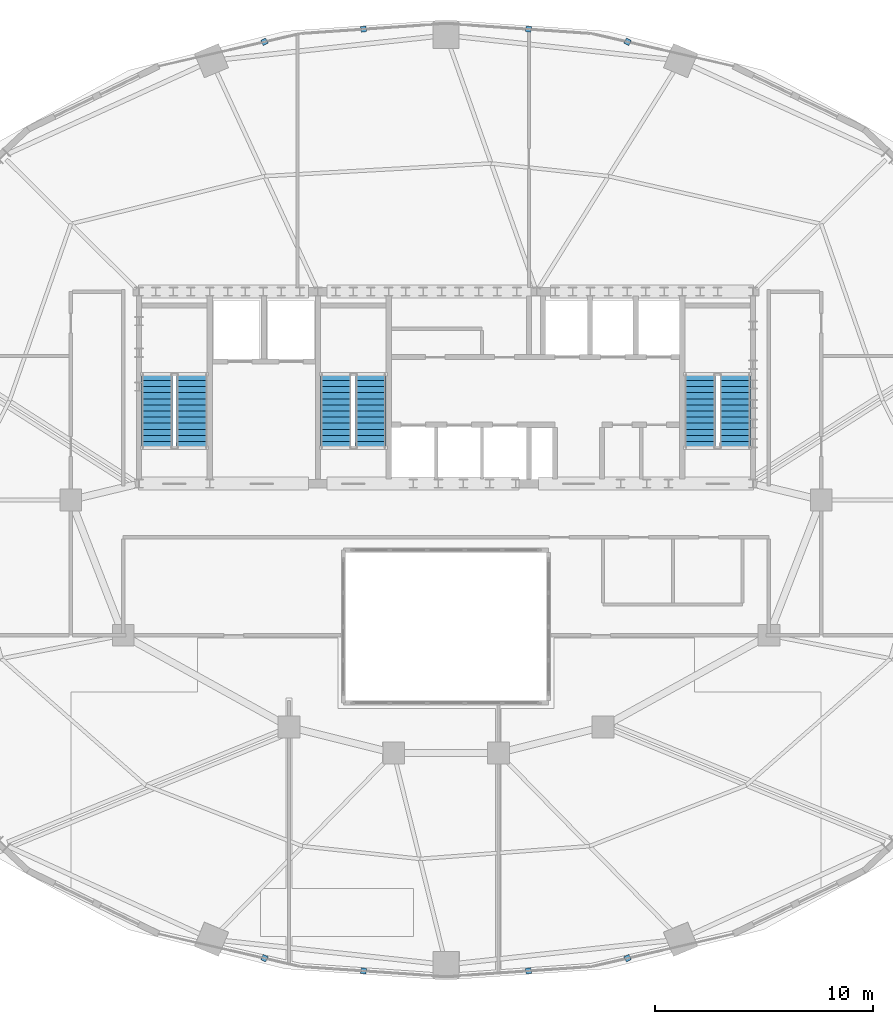
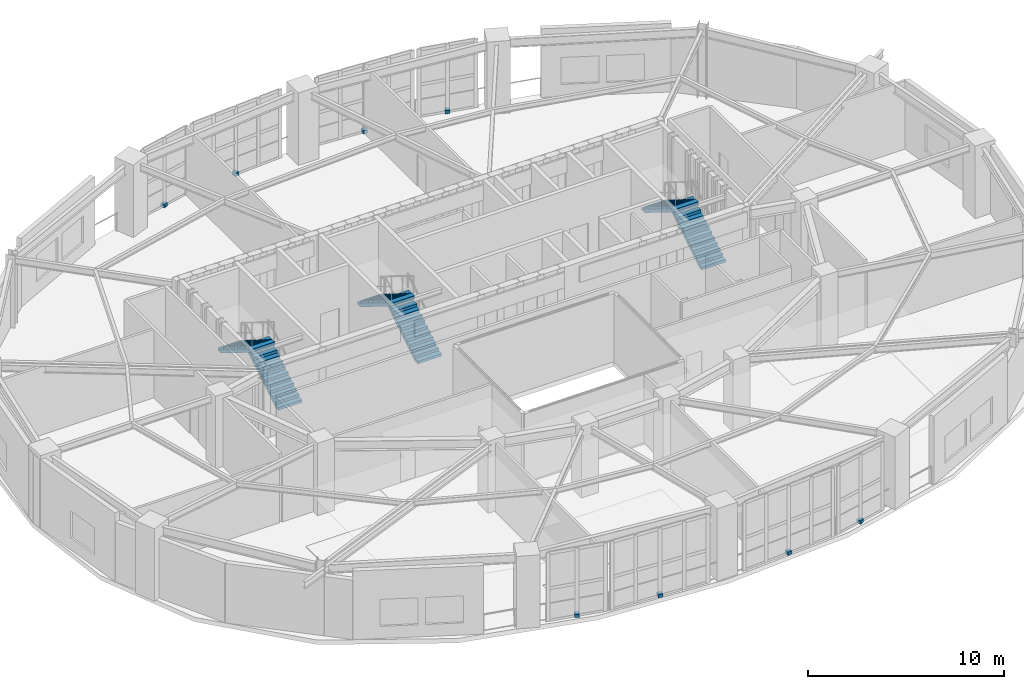
# One storey, part 13 of 16: 8 discrete accessories, 6 stair flights, 3 elements without a shape of their own.
"""IFC4 building model written with IfcOpenShell, lengths in metres."""

from ifc_helpers import new_model, si_unit, direction, frame, origin, origin_2d, place, context, subcontext, project, spatial, polyline, rectangle, outline, extrude, material, type_object, element, aggregate, save


model = new_model("IFC4")

# Units and contexts
model_context = context("Model", 3, precision=1e-05, world=origin(), true_north=direction((0.0, 1.0)))
body_context = subcontext(model_context, "Body", "Model", "MODEL_VIEW")
ifc_project = project(units=[si_unit("LENGTHUNIT", "METRE"), si_unit("AREAUNIT", "SQUARE_METRE"), si_unit("VOLUMEUNIT", "CUBIC_METRE"), si_unit("PLANEANGLEUNIT", "RADIAN"), si_unit("MASSUNIT", "GRAM", prefix="KILO")], contexts=[model_context])

# Site, building, storey
site_placement = place(None, origin())
site = spatial("IfcSite", under=ifc_project, at=site_placement, CompositionType="ELEMENT")
building_placement = place(site_placement, origin())
building = spatial("IfcBuilding", under=site, at=building_placement, Name="Haldorwick Loom Tower", CompositionType="ELEMENT")
storey_placement = place(building_placement, frame((0.0, 0.0, 200.35009765625)))
storey = spatial("IfcBuildingStorey", under=building, at=storey_placement, Name="L54", CompositionType="ELEMENT", Elevation=200.35009765625)

# Stair, stair flights
ifc_material_1 = material(Name="Concrete C40 (40 MPa)", Category="concrete")
stair_type = type_object("IfcStairType", Name="STR-STR-CORE", PredefinedType="HALF_TURN_STAIR", material=ifc_material_1)
stair_1_placement = place(storey_placement, origin())
stair_1 = element("IfcStair", 1, at=stair_1_placement, inside=storey, type_object=stair_type, Name="L54 Exit Stair ST-01", PredefinedType="HALF_TURN_STAIR")
stair_flight_type = type_object("IfcStairFlightType", Name="STR-STF-1250", PredefinedType="STRAIGHT", material=ifc_material_1)
stair_flight_1_placement = place(storey_placement, frame((24.35009765625, 28.39990234375, 0.0), z_axis=(0.0, 0.0, 1.0), x_axis=(0.0, 1.0, 0.0)))
stair_flight_1 = element("IfcStairFlight", 2, at=stair_flight_1_placement, type_object=stair_flight_type, Name="ST-01 flight 1", NumberOfRisers=13, NumberOfTreads=12, PredefinedType="STRAIGHT", RiserHeight=0.173076923, TreadLength=0.28, context=body_context, shape_type="SweptSolid", body=[
    extrude(outline(polyline([(0.0, 0.0), (0.0, 0.173095703125), (0.280029296875, 0.173095703125), (0.280029296875, 0.34619140625), (0.56005859375, 0.34619140625), (0.56005859375, 0.519287109375), (0.840087890625, 0.519287109375), (0.840087890625, 0.6923828125), (1.1201171875, 0.6923828125), (1.1201171875, 0.865478515625), (1.39990234375, 0.865478515625), (1.39990234375, 1.03857421875), (1.679931640625, 1.03857421875), (1.679931640625, 1.21142578125), (1.9599609375, 1.21142578125), (1.9599609375, 1.384521484375), (2.239990234375, 1.384521484375), (2.239990234375, 1.5576171875), (2.52001953125, 1.5576171875), (2.52001953125, 1.730712890625), (2.800048828125, 1.730712890625), (2.800048828125, 1.90380859375), (3.080078125, 1.90380859375), (3.080078125, 2.076904296875), (3.360107421875, 2.076904296875), (3.360107421875, 2.25), (3.360107421875, 1.900634765625), (0.28515625, 0.0), (0.0, 0.0)])), frame((0.0, 0.699951171875, 0.0), z_axis=(0.0, -1.0, 0.0), x_axis=(1.0, 0.0, 0.0)), (0.0, 0.0, 1.0), 1.39990234375),
])
stair_flight_2_placement = place(storey_placement, frame((22.75, 31.760009765625, 2.25), z_axis=(0.0, 0.0, 1.0), x_axis=(0.0, -1.0, 0.0)))
stair_flight_2 = element("IfcStairFlight", 3, at=stair_flight_2_placement, type_object=stair_flight_type, Name="ST-01 flight 2", NumberOfRisers=13, NumberOfTreads=12, PredefinedType="STRAIGHT", RiserHeight=0.173076923, TreadLength=0.28, context=body_context, shape_type="SweptSolid", body=[
    extrude(outline(polyline([(0.0, 0.0), (0.0, 0.173095703125), (0.280029296875, 0.173095703125), (0.280029296875, 0.34619140625), (0.56005859375, 0.34619140625), (0.56005859375, 0.519287109375), (0.840087890625, 0.519287109375), (0.840087890625, 0.6923828125), (1.1201171875, 0.6923828125), (1.1201171875, 0.865478515625), (1.39990234375, 0.865478515625), (1.39990234375, 1.03857421875), (1.679931640625, 1.03857421875), (1.679931640625, 1.21142578125), (1.9599609375, 1.21142578125), (1.9599609375, 1.384521484375), (2.239990234375, 1.384521484375), (2.239990234375, 1.5576171875), (2.52001953125, 1.5576171875), (2.52001953125, 1.730712890625), (2.800048828125, 1.730712890625), (2.800048828125, 1.90380859375), (3.080078125, 1.90380859375), (3.080078125, 2.076904296875), (3.360107421875, 2.076904296875), (3.360107421875, 2.25), (3.360107421875, 1.900634765625), (0.28515625, 0.0), (0.0, 0.0)])), frame((0.0, 0.699951171875, 0.0), z_axis=(0.0, -1.0, 0.0), x_axis=(1.0, 0.0, 0.0)), (0.0, 0.0, 1.0), 1.39990234375),
])
aggregate(stair_1, [stair_flight_1, stair_flight_2])

stair_2_placement = place(storey_placement, origin())
stair_2 = element("IfcStair", 4, at=stair_2_placement, inside=storey, type_object=stair_type, Name="L54 Exit Stair ST-02", PredefinedType="HALF_TURN_STAIR")
stair_flight_3_placement = place(storey_placement, frame((49.25, 28.39990234375, 0.0), z_axis=(0.0, 0.0, 1.0), x_axis=(0.0, 1.0, 0.0)))
stair_flight_3 = element("IfcStairFlight", 5, at=stair_flight_3_placement, type_object=stair_flight_type, Name="ST-02 flight 1", NumberOfRisers=13, NumberOfTreads=12, PredefinedType="STRAIGHT", RiserHeight=0.173076923, TreadLength=0.28, context=body_context, shape_type="SweptSolid", body=[
    extrude(outline(polyline([(0.0, 0.0), (0.0, 0.173095703125), (0.280029296875, 0.173095703125), (0.280029296875, 0.34619140625), (0.56005859375, 0.34619140625), (0.56005859375, 0.519287109375), (0.840087890625, 0.519287109375), (0.840087890625, 0.6923828125), (1.1201171875, 0.6923828125), (1.1201171875, 0.865478515625), (1.39990234375, 0.865478515625), (1.39990234375, 1.03857421875), (1.679931640625, 1.03857421875), (1.679931640625, 1.21142578125), (1.9599609375, 1.21142578125), (1.9599609375, 1.384521484375), (2.239990234375, 1.384521484375), (2.239990234375, 1.5576171875), (2.52001953125, 1.5576171875), (2.52001953125, 1.730712890625), (2.800048828125, 1.730712890625), (2.800048828125, 1.90380859375), (3.080078125, 1.90380859375), (3.080078125, 2.076904296875), (3.360107421875, 2.076904296875), (3.360107421875, 2.25), (3.360107421875, 1.900634765625), (0.28515625, 0.0), (0.0, 0.0)])), frame((0.0, 0.699951171875, 0.0), z_axis=(0.0, -1.0, 0.0), x_axis=(1.0, 0.0, 0.0)), (0.0, 0.0, 1.0), 1.39990234375),
])
stair_flight_4_placement = place(storey_placement, frame((47.64990234375, 31.760009765625, 2.25), z_axis=(0.0, 0.0, 1.0), x_axis=(0.0, -1.0, 0.0)))
stair_flight_4 = element("IfcStairFlight", 6, at=stair_flight_4_placement, type_object=stair_flight_type, Name="ST-02 flight 2", NumberOfRisers=13, NumberOfTreads=12, PredefinedType="STRAIGHT", RiserHeight=0.173076923, TreadLength=0.28, context=body_context, shape_type="SweptSolid", body=[
    extrude(outline(polyline([(0.0, 0.0), (0.0, 0.173095703125), (0.280029296875, 0.173095703125), (0.280029296875, 0.34619140625), (0.56005859375, 0.34619140625), (0.56005859375, 0.519287109375), (0.840087890625, 0.519287109375), (0.840087890625, 0.6923828125), (1.1201171875, 0.6923828125), (1.1201171875, 0.865478515625), (1.39990234375, 0.865478515625), (1.39990234375, 1.03857421875), (1.679931640625, 1.03857421875), (1.679931640625, 1.21142578125), (1.9599609375, 1.21142578125), (1.9599609375, 1.384521484375), (2.239990234375, 1.384521484375), (2.239990234375, 1.5576171875), (2.52001953125, 1.5576171875), (2.52001953125, 1.730712890625), (2.800048828125, 1.730712890625), (2.800048828125, 1.90380859375), (3.080078125, 1.90380859375), (3.080078125, 2.076904296875), (3.360107421875, 2.076904296875), (3.360107421875, 2.25), (3.360107421875, 1.900634765625), (0.28515625, 0.0), (0.0, 0.0)])), frame((0.0, 0.699951171875, 0.0), z_axis=(0.0, -1.0, 0.0), x_axis=(1.0, 0.0, 0.0)), (0.0, 0.0, 1.0), 1.39990234375),
])
aggregate(stair_2, [stair_flight_3, stair_flight_4])

stair_3_placement = place(storey_placement, origin())
stair_3 = element("IfcStair", 7, at=stair_3_placement, inside=storey, type_object=stair_type, Name="L54 Exit Stair ST-03", PredefinedType="HALF_TURN_STAIR")
stair_flight_5_placement = place(storey_placement, frame((32.550048828125, 28.39990234375, 0.0), z_axis=(0.0, 0.0, 1.0), x_axis=(0.0, 1.0, 0.0)))
stair_flight_5 = element("IfcStairFlight", 8, at=stair_flight_5_placement, type_object=stair_flight_type, Name="ST-03 flight 1", NumberOfRisers=13, NumberOfTreads=12, PredefinedType="STRAIGHT", RiserHeight=0.173076923, TreadLength=0.28, context=body_context, shape_type="SweptSolid", body=[
    extrude(outline(polyline([(0.0, 0.0), (0.0, 0.173095703125), (0.280029296875, 0.173095703125), (0.280029296875, 0.34619140625), (0.56005859375, 0.34619140625), (0.56005859375, 0.519287109375), (0.840087890625, 0.519287109375), (0.840087890625, 0.6923828125), (1.1201171875, 0.6923828125), (1.1201171875, 0.865478515625), (1.39990234375, 0.865478515625), (1.39990234375, 1.03857421875), (1.679931640625, 1.03857421875), (1.679931640625, 1.21142578125), (1.9599609375, 1.21142578125), (1.9599609375, 1.384521484375), (2.239990234375, 1.384521484375), (2.239990234375, 1.5576171875), (2.52001953125, 1.5576171875), (2.52001953125, 1.730712890625), (2.800048828125, 1.730712890625), (2.800048828125, 1.90380859375), (3.080078125, 1.90380859375), (3.080078125, 2.076904296875), (3.360107421875, 2.076904296875), (3.360107421875, 2.25), (3.360107421875, 1.900634765625), (0.28515625, 0.0), (0.0, 0.0)])), frame((0.0, 0.699951171875, 0.0), z_axis=(0.0, -1.0, 0.0), x_axis=(1.0, 0.0, 0.0)), (0.0, 0.0, 1.0), 1.39990234375),
])
stair_flight_6_placement = place(storey_placement, frame((30.949951171875, 31.760009765625, 2.25), z_axis=(0.0, 0.0, 1.0), x_axis=(0.0, -1.0, 0.0)))
stair_flight_6 = element("IfcStairFlight", 9, at=stair_flight_6_placement, type_object=stair_flight_type, Name="ST-03 flight 2", NumberOfRisers=13, NumberOfTreads=12, PredefinedType="STRAIGHT", RiserHeight=0.173076923, TreadLength=0.28, context=body_context, shape_type="SweptSolid", body=[
    extrude(outline(polyline([(0.0, 0.0), (0.0, 0.173095703125), (0.280029296875, 0.173095703125), (0.280029296875, 0.34619140625), (0.56005859375, 0.34619140625), (0.56005859375, 0.519287109375), (0.840087890625, 0.519287109375), (0.840087890625, 0.6923828125), (1.1201171875, 0.6923828125), (1.1201171875, 0.865478515625), (1.39990234375, 0.865478515625), (1.39990234375, 1.03857421875), (1.679931640625, 1.03857421875), (1.679931640625, 1.21142578125), (1.9599609375, 1.21142578125), (1.9599609375, 1.384521484375), (2.239990234375, 1.384521484375), (2.239990234375, 1.5576171875), (2.52001953125, 1.5576171875), (2.52001953125, 1.730712890625), (2.800048828125, 1.730712890625), (2.800048828125, 1.90380859375), (3.080078125, 1.90380859375), (3.080078125, 2.076904296875), (3.360107421875, 2.076904296875), (3.360107421875, 2.25), (3.360107421875, 1.900634765625), (0.28515625, 0.0), (0.0, 0.0)])), frame((0.0, 0.699951171875, 0.0), z_axis=(0.0, -1.0, 0.0), x_axis=(1.0, 0.0, 0.0)), (0.0, 0.0, 1.0), 1.39990234375),
])
aggregate(stair_3, [stair_flight_5, stair_flight_6])

# Discrete accessories
ifc_material_2 = material(Name="Galvanized Steel CSA G40.21 350W", Category="steel")
discrete_accessory_type = type_object("IfcDiscreteAccessoryType", Name="ARC-ACC-BRACKET", PredefinedType="BRACKET", material=ifc_material_2)
for number, where, z_axis, x_axis, name in (
    (10, (44.32373046875, 47.005859375, 0.0), (0.0, 0.0, 1.0), (0.433659084588, 0.901077021322, 0.0), "L54 Curtain-Wall Mullion Anchor Bracket 5"),
    (11, (39.780029296875, 47.585205078125, 0.0), (0.0, 0.0, 1.0), (0.152985836284, 0.988228381447, 0.0), "L54 Curtain-Wall Mullion Anchor Bracket 6"),
    (12, (32.219970703125, 47.585205078125, 0.0), (0.0, 0.0, 1.0), (-0.152985836284, 0.988228381447, 0.0), "L54 Curtain-Wall Mullion Anchor Bracket 7"),
    (13, (27.67626953125, 47.005859375, 0.0), (0.0, 0.0, 1.0), (-0.433659084588, 0.901077021322, 0.0), "L54 Curtain-Wall Mullion Anchor Bracket 8"),
    (14, (27.67626953125, 4.994140625, 0.0), (0.0, 0.0, 1.0), (-0.433659084588, -0.901077021322, 0.0), "L54 Curtain-Wall Mullion Anchor Bracket 17"),
    (15, (32.219970703125, 4.41455078125, 0.0), (0.0, 0.0, 1.0), (-0.152985836284, -0.988228381447, 0.0), "L54 Curtain-Wall Mullion Anchor Bracket 18"),
    (16, (39.780029296875, 4.41455078125, 0.0), (0.0, 0.0, 1.0), (0.152985836284, -0.988228381447, 0.0), "L54 Curtain-Wall Mullion Anchor Bracket 19"),
    (17, (44.32373046875, 4.994140625, 0.0), (0.0, 0.0, 1.0), (0.433659084588, -0.901077021322, 0.0), "L54 Curtain-Wall Mullion Anchor Bracket 20"),
):
    element("IfcDiscreteAccessory", number, at=place(storey_placement, frame(where, z_axis=z_axis, x_axis=x_axis)), inside=storey, type_object=discrete_accessory_type, Name=name, PredefinedType="BRACKET", context=body_context, shape_type="SweptSolid", body=[
        extrude(rectangle(XDim=0.260009765625, YDim=0.239990234375, at=origin_2d()), origin(), (0.0, 0.0, 1.0), 0.199951171875),
    ])

save(model, "model.ifc")
